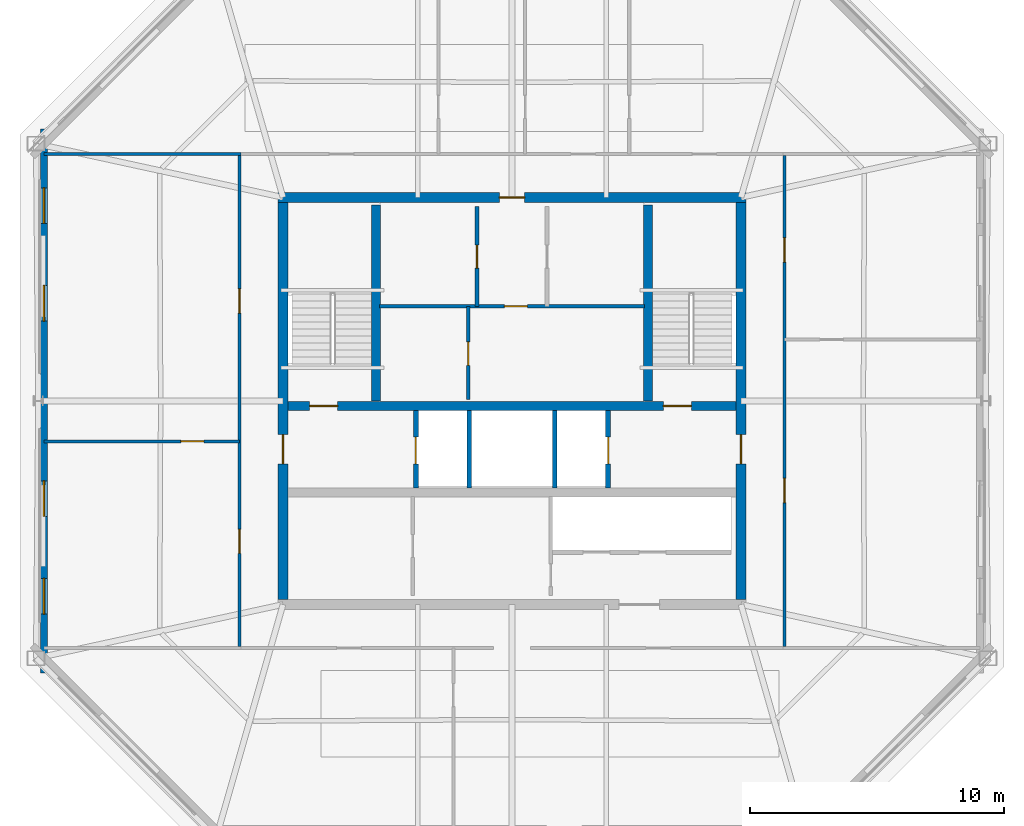
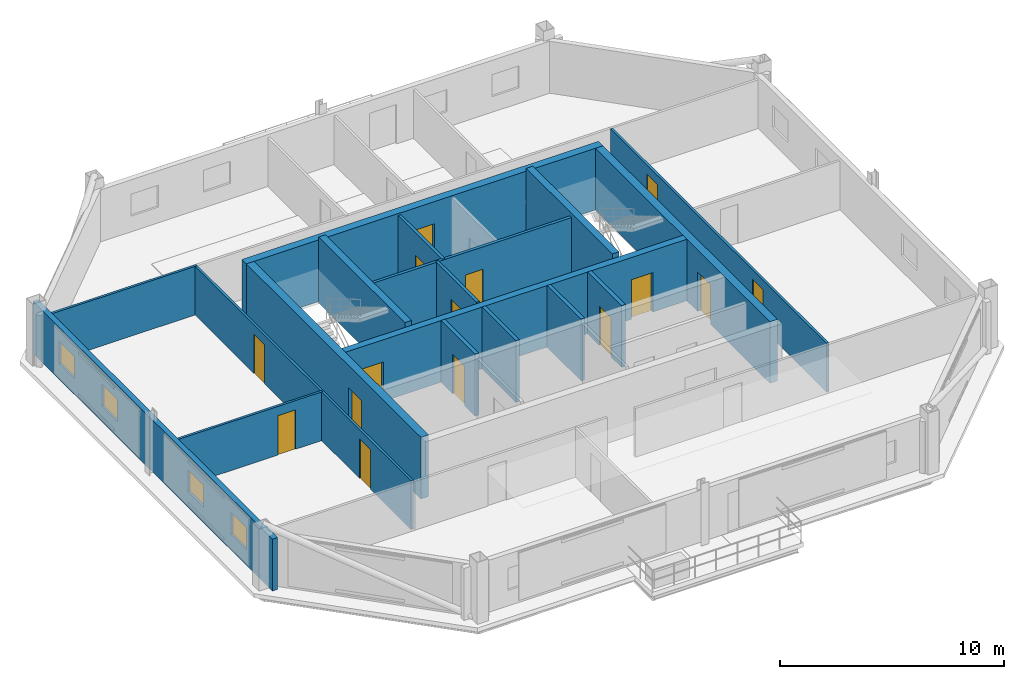
# One storey, part 3 of 7: 18 walls, 15 doors, 4 windows, 19 openings.
"""IFC4 building model written with IfcOpenShell, lengths in metres."""

from ifc_helpers import new_model, si_unit, direction, frame, frame_2d, origin, place, context, subcontext, project, spatial, rectangle, extrude, material, layer, layer_set, type_object, element, fill, save


model = new_model("IFC4")

# Units and contexts
model_context = context("Model", 3, precision=1e-05, world=origin(), true_north=direction((0.0, 1.0)))
body_context = subcontext(model_context, "Body", "Model", "MODEL_VIEW")
ifc_project = project(units=[si_unit("LENGTHUNIT", "METRE"), si_unit("AREAUNIT", "SQUARE_METRE"), si_unit("VOLUMEUNIT", "CUBIC_METRE"), si_unit("PLANEANGLEUNIT", "RADIAN"), si_unit("MASSUNIT", "GRAM", prefix="KILO")], contexts=[model_context])

# Site, building, storey
site_placement = place(None, origin())
site = spatial("IfcSite", under=ifc_project, at=site_placement, CompositionType="ELEMENT")
building_placement = place(site_placement, origin())
building = spatial("IfcBuilding", under=site, at=building_placement, Name="Caelvoria Tower", CompositionType="ELEMENT")
storey_placement = place(building_placement, frame((0.0, 0.0, 253.800048828125)))
storey = spatial("IfcBuildingStorey", under=building, at=storey_placement, Name="L67", CompositionType="ELEMENT", Elevation=253.800048828125)

# Wall, openings, doors
ifc_material_1 = material(Name="Concrete C50/60", Category="concrete")
ifc_layer_1 = layer(ifc_material_1, 0.35009765625, Name="Concrete C50/60")
ifc_layer_set_1 = layer_set([ifc_layer_1], Name="Core Internal Shear Wall 350 - Concrete C50/60")
wall_type_1 = type_object("IfcWallType", Name="Core Internal Shear Wall 350", PredefinedType="SHEAR", material=ifc_layer_set_1)
wall_1_placement = place(storey_placement, frame((37.199951171875, 31.800048828125, 0.0), z_axis=(0.0, 0.0, 1.0), x_axis=(1.0, 0.0, 0.0)))
wall_1 = element("IfcWall", 1, at=wall_1_placement, inside=storey, type_object=wall_type_1, Name="Core Shear Wall L67 M1", PredefinedType="SHEAR", context=body_context, shape_type="SweptSolid", body=[
    extrude(rectangle(XDim=17.60009765625, YDim=0.35009765625, at=frame_2d((8.800048828125, 0.0))), origin(), (0.0, 0.0, 1.0), 3.35986328125),
])
opening_1_placement = place(wall_1_placement, frame((0.85009765625, 0.0, 0.0)))
opening_1 = element("IfcOpeningElement", 2, at=opening_1_placement, cuts=wall_1, Name="Opening ID-01", PredefinedType="OPENING", context=body_context, shape_type="SweptSolid", body=[
    extrude(rectangle(XDim=1.10009765625, YDim=2.14990234375, at=frame_2d((0.550048828125, 1.074951171875))), frame((0.0, 0.18505859375, 0.0), z_axis=(0.0, -1.0, 0.0), x_axis=(1.0, 0.0, 0.0)), (0.0, 0.0, 1.0), 0.3701171875),
])
opening_2_placement = place(wall_1_placement, frame((14.75, 0.0, 0.0)))
opening_2 = element("IfcOpeningElement", 3, at=opening_2_placement, cuts=wall_1, Name="Opening ID-01", PredefinedType="OPENING", context=body_context, shape_type="SweptSolid", body=[
    extrude(rectangle(XDim=1.10009765625, YDim=2.14990234375, at=frame_2d((0.550048828125, 1.074951171875))), frame((0.0, 0.18505859375, 0.0), z_axis=(0.0, -1.0, 0.0), x_axis=(1.0, 0.0, 0.0)), (0.0, 0.0, 1.0), 0.3701171875),
])
ifc_material_2 = material(Name="Painted Hollow Steel Fire Door", Category="steel")
door_type_1 = type_object("IfcDoorType", Name="Fire Door FD90S 1100x2150", OperationType="NOTDEFINED", PredefinedType="DOOR", material=ifc_material_2)
door_1_placement = place(opening_1_placement, origin())
door_1 = element("IfcDoor", 4, at=door_1_placement, inside=storey, type_object=door_type_1, Name="Core Door DR-L67-ST1", OperationType="SINGLE_SWING_LEFT", OverallHeight=2.14990234375, OverallWidth=1.10009765625, PredefinedType="DOOR", context=body_context, shape_type="SweptSolid", body=[
    extrude(rectangle(XDim=1.10009765625, YDim=2.14990234375, at=frame_2d((0.550048828125, 1.074951171875))), frame((0.0, 0.02490234375, 0.0), z_axis=(0.0, -1.0, 0.0), x_axis=(1.0, 0.0, 0.0)), (0.0, 0.0, 1.0), 0.050048828125),
])
fill(opening_1, door_1)
door_2_placement = place(opening_2_placement, origin())
door_2 = element("IfcDoor", 5, at=door_2_placement, inside=storey, type_object=door_type_1, Name="Core Door DR-L67-ST2", OperationType="SINGLE_SWING_RIGHT", OverallHeight=2.14990234375, OverallWidth=1.10009765625, PredefinedType="DOOR", context=body_context, shape_type="SweptSolid", body=[
    extrude(rectangle(XDim=1.10009765625, YDim=2.14990234375, at=frame_2d((0.550048828125, 1.074951171875))), frame((0.0, 0.02490234375, 0.0), z_axis=(0.0, -1.0, 0.0), x_axis=(1.0, 0.0, 0.0)), (0.0, 0.0, 1.0), 0.050048828125),
])
fill(opening_2, door_2)

# Walls
for number, where, z_axis, x_axis, name in (
    (6, (40.64990234375, 32.0, 0.0), (0.0, 0.0, 1.0), (0.0, 1.0, 0.0), "Interior Partition IW-L67-ST1E"),
    (7, (51.35009765625, 32.0, 0.0), (0.0, 0.0, 1.0), (0.0, 1.0, 0.0), "Interior Partition IW-L67-ST2W"),
):
    element("IfcWall", number, at=place(storey_placement, frame(where, z_axis=z_axis, x_axis=x_axis)), inside=storey, type_object=wall_type_1, Name=name, PredefinedType="SHEAR", context=body_context, shape_type="SweptSolid", body=[
        extrude(rectangle(XDim=7.699951171875, YDim=0.35009765625, at=frame_2d((3.85009765625, 0.0))), origin(), (0.0, 0.0, 1.0), 3.599853515625),
    ])

# Wall, opening, door
ifc_material_3 = material(Name="Double Gypsum Board on Steel Stud", Category="steel")
ifc_layer_2 = layer(ifc_material_3, 0.14990234375, Name="Double Gypsum Board on Steel Stud")
ifc_layer_set_2 = layer_set([ifc_layer_2], Name="Core Service Acoustic Partition Wall 150 - Double Gypsum Board on Steel Stud")
wall_type_2 = type_object("IfcWallType", Name="Core Service Acoustic Partition Wall 150", PredefinedType="PARTITIONING", material=ifc_layer_set_2)
wall_2_placement = place(storey_placement, frame((44.6201171875, 35.719970703125, 0.0), z_axis=(0.0, 0.0, 1.0), x_axis=(0.0, 1.0, 0.0)))
wall_2 = element("IfcWall", 8, at=wall_2_placement, inside=storey, type_object=wall_type_2, Name="Interior Partition IW-L67-C0L", PredefinedType="PARTITIONING", context=body_context, shape_type="SweptSolid", body=[
    extrude(rectangle(XDim=3.929931640625, YDim=0.14990234375, at=frame_2d((1.96484375, 0.0))), origin(), (0.0, 0.0, 1.0), 3.375),
])
opening_3_placement = place(wall_2_placement, frame((1.5, 0.0, 0.0)))
opening_3 = element("IfcOpeningElement", 9, at=opening_3_placement, cuts=wall_2, Name="Opening ID-06", PredefinedType="OPENING", context=body_context, shape_type="SweptSolid", body=[
    extrude(rectangle(XDim=0.89990234375, YDim=2.14990234375, at=frame_2d((0.449951171875, 1.074951171875))), frame((0.0, 0.0849609375, 0.0), z_axis=(0.0, -1.0, 0.0), x_axis=(1.0, 0.0, 0.0)), (0.0, 0.0, 1.0), 0.169921875),
])
ifc_material_4 = material(Name="Engineered Andean Oak Veneer Door", Category="wood")
door_type_2 = type_object("IfcDoorType", Name="Interior Timber Door 900x2150", OperationType="NOTDEFINED", PredefinedType="DOOR", material=ifc_material_4)
door_3_placement = place(opening_3_placement, origin())
door_3 = element("IfcDoor", 10, at=door_3_placement, inside=storey, type_object=door_type_2, Name="Interior Door DR-L67-C01", OperationType="SINGLE_SWING_LEFT", OverallHeight=2.14990234375, OverallWidth=0.89990234375, PredefinedType="DOOR", context=body_context, shape_type="SweptSolid", body=[
    extrude(rectangle(XDim=0.89990234375, YDim=2.14990234375, at=frame_2d((0.449951171875, 1.074951171875))), frame((0.0, 0.02490234375, 0.0), z_axis=(0.0, -1.0, 0.0), x_axis=(1.0, 0.0, 0.0)), (0.0, 0.0, 1.0), 0.050048828125),
])
fill(opening_3, door_3)

wall_3_placement = place(storey_placement, frame((44.280029296875, 32.050048828125, 0.0), z_axis=(0.0, 0.0, 1.0), x_axis=(0.0, 1.0, 0.0)))
wall_3 = element("IfcWall", 11, at=wall_3_placement, inside=storey, type_object=wall_type_2, Name="Interior Partition IW-L67-C0M", PredefinedType="PARTITIONING", context=body_context, shape_type="SweptSolid", body=[
    extrude(rectangle(XDim=3.669921875, YDim=0.14990234375, at=frame_2d((1.8349609375, 0.0))), origin(), (0.0, 0.0, 1.0), 3.375),
])
opening_4_placement = place(wall_3_placement, frame((1.35009765625, 0.0, 0.0)))
opening_4 = element("IfcOpeningElement", 12, at=opening_4_placement, cuts=wall_3, Name="Opening ID-07", PredefinedType="OPENING", context=body_context, shape_type="SweptSolid", body=[
    extrude(rectangle(XDim=0.919921875, YDim=2.14990234375, at=frame_2d((0.4599609375, 1.074951171875))), frame((0.0, 0.0849609375, 0.0), z_axis=(0.0, -1.0, 0.0), x_axis=(1.0, 0.0, 0.0)), (0.0, 0.0, 1.0), 0.169921875),
])
ifc_material_5 = material(Name="Engineered Andean Oak Accessible Door", Category="wood")
door_type_3 = type_object("IfcDoorType", Name="Accessible WC Door 950x2150", OperationType="NOTDEFINED", PredefinedType="DOOR", material=ifc_material_5)
door_4_placement = place(opening_4_placement, origin())
door_4 = element("IfcDoor", 13, at=door_4_placement, inside=storey, type_object=door_type_3, Name="Interior Door DR-L67-C05", OperationType="SINGLE_SWING_LEFT", OverallHeight=2.14990234375, OverallWidth=0.919921875, PredefinedType="DOOR", context=body_context, shape_type="SweptSolid", body=[
    extrude(rectangle(XDim=0.919921875, YDim=2.14990234375, at=frame_2d((0.4599609375, 1.074951171875))), frame((0.0, 0.02490234375, 0.0), z_axis=(0.0, -1.0, 0.0), x_axis=(1.0, 0.0, 0.0)), (0.0, 0.0, 1.0), 0.050048828125),
])
fill(opening_4, door_4)

wall_4_placement = place(storey_placement, frame((40.800048828125, 35.719970703125, 0.0), z_axis=(0.0, 0.0, 1.0), x_axis=(1.0, 0.0, 0.0)))
wall_4 = element("IfcWall", 14, at=wall_4_placement, inside=storey, type_object=wall_type_2, Name="Interior Partition IW-L67-C0H", PredefinedType="PARTITIONING", context=body_context, shape_type="SweptSolid", body=[
    extrude(rectangle(XDim=10.39990234375, YDim=0.14990234375, at=frame_2d((5.199951171875, 0.0))), origin(), (0.0, 0.0, 1.0), 3.375),
])
opening_5_placement = place(wall_4_placement, frame((4.89990234375, 0.0, 0.0)))
opening_5 = element("IfcOpeningElement", 15, at=opening_5_placement, cuts=wall_4, Name="Opening ID-04", PredefinedType="OPENING", context=body_context, shape_type="SweptSolid", body=[
    extrude(rectangle(XDim=0.89990234375, YDim=2.14990234375, at=frame_2d((0.449951171875, 1.074951171875))), frame((0.0, 0.0849609375, 0.0), z_axis=(0.0, -1.0, 0.0), x_axis=(1.0, 0.0, 0.0)), (0.0, 0.0, 1.0), 0.169921875),
])
ifc_material_6 = material(Name="Acoustic Timber Fire Door", Category="wood")
door_type_4 = type_object("IfcDoorType", Name="Fire Door FD30S 900x2150", OperationType="NOTDEFINED", PredefinedType="DOOR", material=ifc_material_6)
door_5_placement = place(opening_5_placement, origin())
door_5 = element("IfcDoor", 16, at=door_5_placement, inside=storey, type_object=door_type_4, Name="Interior Door DR-L67-C04", OperationType="SINGLE_SWING_RIGHT", OverallHeight=2.14990234375, OverallWidth=0.89990234375, PredefinedType="DOOR", context=body_context, shape_type="SweptSolid", body=[
    extrude(rectangle(XDim=0.89990234375, YDim=2.14990234375, at=frame_2d((0.449951171875, 1.074951171875))), frame((0.0, 0.02490234375, 0.0), z_axis=(0.0, -1.0, 0.0), x_axis=(1.0, 0.0, 0.0)), (0.0, 0.0, 1.0), 0.050048828125),
])
fill(opening_5, door_5)

# Walls
ifc_material_7 = material(Name="Concrete Block and Fireboard Assembly", Category="concrete")
ifc_layer_3 = layer(ifc_material_7, 0.179931640625, Name="Concrete Block and Fireboard Assembly")
ifc_layer_set_3 = layer_set([ifc_layer_3], Name="Fire-Rated Hoistway Partition Wall 180 - Concrete Block and Fireboard Assembly")
wall_type_3 = type_object("IfcWallType", Name="Fire-Rated Hoistway Partition Wall 180", PredefinedType="PARTITIONING", material=ifc_layer_set_3)
for number, where, z_axis, x_axis, name in (
    (17, (44.320068359375, 28.580078125, 0.0), (0.0, 0.0, 1.0), (0.0, 1.0, 0.0), "Interior Partition IW-L67-SV1W"),
    (18, (47.679931640625, 28.580078125, 0.0), (0.0, 0.0, 1.0), (0.0, 1.0, 0.0), "Interior Partition IW-L67-SV1E"),
):
    element("IfcWall", number, at=place(storey_placement, frame(where, z_axis=z_axis, x_axis=x_axis)), inside=storey, type_object=wall_type_3, Name=name, PredefinedType="PARTITIONING", context=body_context, shape_type="SweptSolid", body=[
        extrude(rectangle(XDim=3.0400390625, YDim=0.179931640625, at=frame_2d((1.52001953125, 0.0))), origin(), (0.0, 0.0, 1.0), 3.375),
    ])

# Wall, opening, door
ifc_layer_4 = layer(ifc_material_7, 0.199951171875, Name="Concrete Block and Fireboard Assembly")
ifc_layer_set_4 = layer_set([ifc_layer_4], Name="Fire-Rated Shaft and Core Partition Wall 200 - Concrete Block and Fireboard Assembly")
wall_type_4 = type_object("IfcWallType", Name="Fire-Rated Shaft and Core Partition Wall 200", PredefinedType="PARTITIONING", material=ifc_layer_set_4)
wall_5_placement = place(storey_placement, frame((42.219970703125, 28.580078125, 0.0), z_axis=(0.0, 0.0, 1.0), x_axis=(0.0, 1.0, 0.0)))
wall_5 = element("IfcWall", 19, at=wall_5_placement, inside=storey, type_object=wall_type_4, Name="Interior Partition IW-L67-LF1W", PredefinedType="PARTITIONING", context=body_context, shape_type="SweptSolid", body=[
    extrude(rectangle(XDim=3.0400390625, YDim=0.199951171875, at=frame_2d((1.52001953125, 0.0))), origin(), (0.0, 0.0, 1.0), 3.375),
])
opening_6_placement = place(wall_5_placement, frame((0.949951171875, 0.0, 0.0)))
opening_6 = element("IfcOpeningElement", 20, at=opening_6_placement, cuts=wall_5, Name="Opening LD-01", PredefinedType="OPENING", context=body_context, shape_type="SweptSolid", body=[
    extrude(rectangle(XDim=1.050048828125, YDim=2.14990234375, at=frame_2d((0.52490234375, 1.074951171875))), frame((0.0, 0.10986328125, 0.0), z_axis=(0.0, -1.0, 0.0), x_axis=(1.0, 0.0, 0.0)), (0.0, 0.0, 1.0), 0.219970703125),
])
ifc_material_8 = material(Name="Brushed Bronze Stainless Sliding Landing Door", Category="aluminium")
door_type_5 = type_object("IfcDoorType", Name="Lift Landing Sliding Door 1100x2150", OperationType="NOTDEFINED", PredefinedType="DOOR", material=ifc_material_8)
door_6_placement = place(opening_6_placement, origin())
door_6 = element("IfcDoor", 21, at=door_6_placement, inside=storey, type_object=door_type_5, Name="Interior Door LD-L67-LF1", OperationType="SLIDING_TO_LEFT", OverallHeight=2.14990234375, OverallWidth=1.050048828125, PredefinedType="DOOR", context=body_context, shape_type="SweptSolid", body=[
    extrude(rectangle(XDim=1.050048828125, YDim=2.14990234375, at=frame_2d((0.52490234375, 1.074951171875))), frame((0.0, 0.02490234375, 0.0), z_axis=(0.0, -1.0, 0.0), x_axis=(1.0, 0.0, 0.0)), (0.0, 0.0, 1.0), 0.050048828125),
])
fill(opening_6, door_6)

wall_6_placement = place(storey_placement, frame((49.780029296875, 28.580078125, 0.0), z_axis=(0.0, 0.0, 1.0), x_axis=(0.0, 1.0, 0.0)))
wall_6 = element("IfcWall", 22, at=wall_6_placement, inside=storey, type_object=wall_type_4, Name="Interior Partition IW-L67-LF2E", PredefinedType="PARTITIONING", context=body_context, shape_type="SweptSolid", body=[
    extrude(rectangle(XDim=3.0400390625, YDim=0.199951171875, at=frame_2d((1.52001953125, 0.0))), origin(), (0.0, 0.0, 1.0), 3.375),
])
opening_7_placement = place(wall_6_placement, frame((0.949951171875, 0.0, 0.0)))
opening_7 = element("IfcOpeningElement", 23, at=opening_7_placement, cuts=wall_6, Name="Opening LD-01", PredefinedType="OPENING", context=body_context, shape_type="SweptSolid", body=[
    extrude(rectangle(XDim=1.050048828125, YDim=2.14990234375, at=frame_2d((0.52490234375, 1.074951171875))), frame((0.0, 0.10986328125, 0.0), z_axis=(0.0, -1.0, 0.0), x_axis=(1.0, 0.0, 0.0)), (0.0, 0.0, 1.0), 0.219970703125),
])
door_7_placement = place(opening_7_placement, origin())
door_7 = element("IfcDoor", 24, at=door_7_placement, inside=storey, type_object=door_type_5, Name="Interior Door LD-L67-LF2", OperationType="SLIDING_TO_RIGHT", OverallHeight=2.14990234375, OverallWidth=1.050048828125, PredefinedType="DOOR", context=body_context, shape_type="SweptSolid", body=[
    extrude(rectangle(XDim=1.050048828125, YDim=2.14990234375, at=frame_2d((0.52490234375, 1.074951171875))), frame((0.0, 0.02490234375, 0.0), z_axis=(0.0, -1.0, 0.0), x_axis=(1.0, 0.0, 0.0)), (0.0, 0.0, 1.0), 0.050048828125),
])
fill(opening_7, door_7)

ifc_layer_5 = layer(ifc_material_1, 0.39990234375, Name="Concrete C50/60")
ifc_layer_set_5 = layer_set([ifc_layer_5], Name="Summit Core Shear Wall 400 - Concrete C50/60")
wall_type_5 = type_object("IfcWallType", Name="Summit Core Shear Wall 400", PredefinedType="SHEAR", material=ifc_layer_set_5)
wall_7_placement = place(storey_placement, frame((36.800048828125, 40.0, 0.0), z_axis=(0.0, 0.0, 1.0), x_axis=(1.0, 0.0, 0.0)))
wall_7 = element("IfcWall", 25, at=wall_7_placement, inside=storey, type_object=wall_type_5, Name="Core Shear Wall L67 N", PredefinedType="SHEAR", context=body_context, shape_type="SweptSolid", body=[
    extrude(rectangle(XDim=18.39990234375, YDim=0.39990234375, at=frame_2d((9.199951171875, 0.0))), origin(), (0.0, 0.0, 1.0), 3.35986328125),
])
opening_8_placement = place(wall_7_placement, frame((8.699951171875, 0.0, 0.0)))
opening_8 = element("IfcOpeningElement", 26, at=opening_8_placement, cuts=wall_7, Name="Opening ID-03", PredefinedType="OPENING", context=body_context, shape_type="SweptSolid", body=[
    extrude(rectangle(XDim=1.0, YDim=2.14990234375, at=frame_2d((0.5, 1.074951171875))), frame((0.0, 0.2099609375, 0.0), z_axis=(0.0, -1.0, 0.0), x_axis=(1.0, 0.0, 0.0)), (0.0, 0.0, 1.0), 0.419921875),
])
door_type_6 = type_object("IfcDoorType", Name="Fire Door FD60S 1000x2150", OperationType="NOTDEFINED", PredefinedType="DOOR", material=ifc_material_2)
door_8_placement = place(opening_8_placement, origin())
door_8 = element("IfcDoor", 27, at=door_8_placement, inside=storey, type_object=door_type_6, Name="Core Door DR-L67-WC-MAIN", OperationType="SINGLE_SWING_RIGHT", OverallHeight=2.14990234375, OverallWidth=1.0, PredefinedType="DOOR", context=body_context, shape_type="SweptSolid", body=[
    extrude(rectangle(XDim=1.0, YDim=2.14990234375, at=frame_2d((0.5, 1.074951171875))), frame((0.0, 0.02490234375, 0.0), z_axis=(0.0, -1.0, 0.0), x_axis=(1.0, 0.0, 0.0)), (0.0, 0.0, 1.0), 0.050048828125),
])
fill(opening_8, door_8)

wall_8_placement = place(storey_placement, frame((37.0, 24.199951171875, 0.0), z_axis=(0.0, 0.0, 1.0), x_axis=(0.0, 1.0, 0.0)))
wall_8 = element("IfcWall", 28, at=wall_8_placement, inside=storey, type_object=wall_type_5, Name="Core Shear Wall L67 W", PredefinedType="SHEAR", context=body_context, shape_type="SweptSolid", body=[
    extrude(rectangle(XDim=15.60009765625, YDim=0.39990234375, at=frame_2d((7.800048828125, 0.0))), origin(), (0.0, 0.0, 1.0), 3.35986328125),
])
opening_9_placement = place(wall_8_placement, frame((5.324951171875, 0.0, 0.0)))
opening_9 = element("IfcOpeningElement", 29, at=opening_9_placement, cuts=wall_8, Name="Opening ID-02", PredefinedType="OPENING", context=body_context, shape_type="SweptSolid", body=[
    extrude(rectangle(XDim=1.14990234375, YDim=2.14990234375, at=frame_2d((0.574951171875, 1.074951171875))), frame((0.0, 0.2099609375, 0.0), z_axis=(0.0, -1.0, 0.0), x_axis=(1.0, 0.0, 0.0)), (0.0, 0.0, 1.0), 0.419921875),
])
door_type_7 = type_object("IfcDoorType", Name="Fire Door FD60S 1150x2150", OperationType="NOTDEFINED", PredefinedType="DOOR", material=ifc_material_2)
door_9_placement = place(opening_9_placement, origin())
door_9 = element("IfcDoor", 30, at=door_9_placement, inside=storey, type_object=door_type_7, Name="Core Door DR-L67-FFLW-OUT", OperationType="SINGLE_SWING_LEFT", OverallHeight=2.14990234375, OverallWidth=1.14990234375, PredefinedType="DOOR", context=body_context, shape_type="SweptSolid", body=[
    extrude(rectangle(XDim=1.14990234375, YDim=2.14990234375, at=frame_2d((0.574951171875, 1.074951171875))), frame((0.0, 0.02490234375, 0.0), z_axis=(0.0, -1.0, 0.0), x_axis=(1.0, 0.0, 0.0)), (0.0, 0.0, 1.0), 0.050048828125),
])
fill(opening_9, door_9)

wall_9_placement = place(storey_placement, frame((55.0, 24.199951171875, 0.0), z_axis=(0.0, 0.0, 1.0), x_axis=(0.0, 1.0, 0.0)))
wall_9 = element("IfcWall", 31, at=wall_9_placement, inside=storey, type_object=wall_type_5, Name="Core Shear Wall L67 E", PredefinedType="SHEAR", context=body_context, shape_type="SweptSolid", body=[
    extrude(rectangle(XDim=15.60009765625, YDim=0.39990234375, at=frame_2d((7.800048828125, 0.0))), origin(), (0.0, 0.0, 1.0), 3.35986328125),
])
opening_10_placement = place(wall_9_placement, frame((5.324951171875, 0.0, 0.0)))
opening_10 = element("IfcOpeningElement", 32, at=opening_10_placement, cuts=wall_9, Name="Opening ID-02", PredefinedType="OPENING", context=body_context, shape_type="SweptSolid", body=[
    extrude(rectangle(XDim=1.14990234375, YDim=2.14990234375, at=frame_2d((0.574951171875, 1.074951171875))), frame((0.0, 0.2099609375, 0.0), z_axis=(0.0, -1.0, 0.0), x_axis=(1.0, 0.0, 0.0)), (0.0, 0.0, 1.0), 0.419921875),
])
door_10_placement = place(opening_10_placement, origin())
door_10 = element("IfcDoor", 33, at=door_10_placement, inside=storey, type_object=door_type_7, Name="Core Door DR-L67-FFLE-OUT", OperationType="SINGLE_SWING_RIGHT", OverallHeight=2.14990234375, OverallWidth=1.14990234375, PredefinedType="DOOR", context=body_context, shape_type="SweptSolid", body=[
    extrude(rectangle(XDim=1.14990234375, YDim=2.14990234375, at=frame_2d((0.574951171875, 1.074951171875))), frame((0.0, 0.02490234375, 0.0), z_axis=(0.0, -1.0, 0.0), x_axis=(1.0, 0.0, 0.0)), (0.0, 0.0, 1.0), 0.050048828125),
])
fill(opening_10, door_10)

ifc_material_9 = material(Name="Acoustic Gypsum Board on Light-Gauge Stud", Category="gypsum")
ifc_layer_6 = layer(ifc_material_9, 0.1201171875, Name="Acoustic Gypsum Board on Light-Gauge Stud")
ifc_layer_set_6 = layer_set([ifc_layer_6], Name="Tenant Suite Acoustic Partition Wall 120 - Acoustic Gypsum Board on Light-Gauge Stud")
wall_type_6 = type_object("IfcWallType", Name="Tenant Suite Acoustic Partition Wall 120", PredefinedType="PARTITIONING", material=ifc_layer_set_6)
wall_10_placement = place(storey_placement, frame((35.2900390625, 30.4130859375, 0.0), z_axis=(0.0, 0.0, 1.0), x_axis=(-1.0, 0.0, 0.0)))
wall_10 = element("IfcWall", 34, at=wall_10_placement, inside=storey, type_object=wall_type_6, Name="Interior Partition IW-L67-WD-00-0", PredefinedType="PARTITIONING", context=body_context, shape_type="SweptSolid", body=[
    extrude(rectangle(XDim=7.6865234375, YDim=0.1201171875, at=frame_2d((3.84326171875, 0.0))), origin(), (0.0, 0.0, 1.0), 2.655029296875),
])
opening_11_placement = place(wall_10_placement, frame((1.39990234375, 0.0, 0.0)))
opening_11 = element("IfcOpeningElement", 35, at=opening_11_placement, cuts=wall_10, Name="Opening ID-06", PredefinedType="OPENING", context=body_context, shape_type="SweptSolid", body=[
    extrude(rectangle(XDim=0.89990234375, YDim=2.14990234375, at=frame_2d((0.449951171875, 1.074951171875))), frame((0.0, 0.070068359375, 0.0), z_axis=(0.0, -1.0, 0.0), x_axis=(1.0, 0.0, 0.0)), (0.0, 0.0, 1.0), 0.14013671875),
])
door_11_placement = place(opening_11_placement, origin())
door_11 = element("IfcDoor", 36, at=door_11_placement, inside=storey, type_object=door_type_2, Name="Interior Door DR-L67-WM-00-0", OperationType="SINGLE_SWING_RIGHT", OverallHeight=2.14990234375, OverallWidth=0.89990234375, PredefinedType="DOOR", context=body_context, shape_type="SweptSolid", body=[
    extrude(rectangle(XDim=0.89990234375, YDim=2.14990234375, at=frame_2d((0.449951171875, 1.074951171875))), frame((0.0, 0.02490234375, 0.0), z_axis=(0.0, -1.0, 0.0), x_axis=(1.0, 0.0, 0.0)), (0.0, 0.0, 1.0), 0.050048828125),
])
fill(opening_11, door_11)

# Wall, openings, doors
wall_11_placement = place(storey_placement, frame((35.2900390625, 22.35009765625, 0.0), z_axis=(0.0, 0.0, 1.0), x_axis=(0.0, 1.0, 0.0)))
wall_11 = element("IfcWall", 37, at=wall_11_placement, inside=storey, type_object=wall_type_6, Name="Interior Partition IW-L67-WCW-0", PredefinedType="PARTITIONING", context=body_context, shape_type="SweptSolid", body=[
    extrude(rectangle(XDim=19.2998046875, YDim=0.1201171875, at=frame_2d((9.64990234375, 0.0))), origin(), (0.0, 0.0, 1.0), 2.655029296875),
])
opening_12_placement = place(wall_11_placement, frame((3.656494140625, 0.0, 0.0)))
opening_12 = element("IfcOpeningElement", 38, at=opening_12_placement, cuts=wall_11, Name="Opening ID-05", PredefinedType="OPENING", context=body_context, shape_type="SweptSolid", body=[
    extrude(rectangle(XDim=0.949951171875, YDim=2.14990234375, at=frame_2d((0.47509765625, 1.074951171875))), frame((0.0, 0.070068359375, 0.0), z_axis=(0.0, -1.0, 0.0), x_axis=(1.0, 0.0, 0.0)), (0.0, 0.0, 1.0), 0.14013671875),
])
opening_13_placement = place(wall_11_placement, frame((13.1064453125, 0.0, 0.0)))
opening_13 = element("IfcOpeningElement", 39, at=opening_13_placement, cuts=wall_11, Name="Opening ID-05", PredefinedType="OPENING", context=body_context, shape_type="SweptSolid", body=[
    extrude(rectangle(XDim=0.949951171875, YDim=2.14990234375, at=frame_2d((0.47509765625, 1.074951171875))), frame((0.0, 0.070068359375, 0.0), z_axis=(0.0, -1.0, 0.0), x_axis=(1.0, 0.0, 0.0)), (0.0, 0.0, 1.0), 0.14013671875),
])
door_type_8 = type_object("IfcDoorType", Name="Interior Timber Door 950x2150", OperationType="NOTDEFINED", PredefinedType="DOOR", material=ifc_material_4)
door_12_placement = place(opening_12_placement, origin())
door_12 = element("IfcDoor", 40, at=door_12_placement, inside=storey, type_object=door_type_8, Name="Interior Door DR-L67-WC-00-0", OperationType="SINGLE_SWING_RIGHT", OverallHeight=2.14990234375, OverallWidth=0.949951171875, PredefinedType="DOOR", context=body_context, shape_type="SweptSolid", body=[
    extrude(rectangle(XDim=0.949951171875, YDim=2.14990234375, at=frame_2d((0.47509765625, 1.074951171875))), frame((0.0, 0.02490234375, 0.0), z_axis=(0.0, -1.0, 0.0), x_axis=(1.0, 0.0, 0.0)), (0.0, 0.0, 1.0), 0.050048828125),
])
fill(opening_12, door_12)
door_13_placement = place(opening_13_placement, origin())
door_13 = element("IfcDoor", 41, at=door_13_placement, inside=storey, type_object=door_type_8, Name="Interior Door DR-L67-WC-01-0", OperationType="SINGLE_SWING_LEFT", OverallHeight=2.14990234375, OverallWidth=0.949951171875, PredefinedType="DOOR", context=body_context, shape_type="SweptSolid", body=[
    extrude(rectangle(XDim=0.949951171875, YDim=2.14990234375, at=frame_2d((0.47509765625, 1.074951171875))), frame((0.0, 0.02490234375, 0.0), z_axis=(0.0, -1.0, 0.0), x_axis=(1.0, 0.0, 0.0)), (0.0, 0.0, 1.0), 0.050048828125),
])
fill(opening_13, door_13)

wall_12_placement = place(storey_placement, frame((56.7099609375, 22.35009765625, 0.0), z_axis=(0.0, 0.0, 1.0), x_axis=(0.0, 1.0, 0.0)))
wall_12 = element("IfcWall", 42, at=wall_12_placement, inside=storey, type_object=wall_type_6, Name="Interior Partition IW-L67-ECW-0", PredefinedType="PARTITIONING", context=body_context, shape_type="SweptSolid", body=[
    extrude(rectangle(XDim=19.2998046875, YDim=0.1201171875, at=frame_2d((9.64990234375, 0.0))), origin(), (0.0, 0.0, 1.0), 2.655029296875),
])
opening_14_placement = place(wall_12_placement, frame((5.65673828125, 0.0, 0.0)))
opening_14 = element("IfcOpeningElement", 43, at=opening_14_placement, cuts=wall_12, Name="Opening ID-05", PredefinedType="OPENING", context=body_context, shape_type="SweptSolid", body=[
    extrude(rectangle(XDim=0.949951171875, YDim=2.14990234375, at=frame_2d((0.47509765625, 1.074951171875))), frame((0.0, 0.070068359375, 0.0), z_axis=(0.0, -1.0, 0.0), x_axis=(1.0, 0.0, 0.0)), (0.0, 0.0, 1.0), 0.14013671875),
])
opening_15_placement = place(wall_12_placement, frame((15.106689453125, 0.0, 0.0)))
opening_15 = element("IfcOpeningElement", 44, at=opening_15_placement, cuts=wall_12, Name="Opening ID-05", PredefinedType="OPENING", context=body_context, shape_type="SweptSolid", body=[
    extrude(rectangle(XDim=0.949951171875, YDim=2.14990234375, at=frame_2d((0.47509765625, 1.074951171875))), frame((0.0, 0.070068359375, 0.0), z_axis=(0.0, -1.0, 0.0), x_axis=(1.0, 0.0, 0.0)), (0.0, 0.0, 1.0), 0.14013671875),
])
door_14_placement = place(opening_14_placement, origin())
door_14 = element("IfcDoor", 45, at=door_14_placement, inside=storey, type_object=door_type_8, Name="Interior Door DR-L67-EC-00-0", OperationType="SINGLE_SWING_RIGHT", OverallHeight=2.14990234375, OverallWidth=0.949951171875, PredefinedType="DOOR", context=body_context, shape_type="SweptSolid", body=[
    extrude(rectangle(XDim=0.949951171875, YDim=2.14990234375, at=frame_2d((0.47509765625, 1.074951171875))), frame((0.0, 0.02490234375, 0.0), z_axis=(0.0, -1.0, 0.0), x_axis=(1.0, 0.0, 0.0)), (0.0, 0.0, 1.0), 0.050048828125),
])
fill(opening_14, door_14)
door_15_placement = place(opening_15_placement, origin())
door_15 = element("IfcDoor", 46, at=door_15_placement, inside=storey, type_object=door_type_8, Name="Interior Door DR-L67-EC-01-0", OperationType="SINGLE_SWING_LEFT", OverallHeight=2.14990234375, OverallWidth=0.949951171875, PredefinedType="DOOR", context=body_context, shape_type="SweptSolid", body=[
    extrude(rectangle(XDim=0.949951171875, YDim=2.14990234375, at=frame_2d((0.47509765625, 1.074951171875))), frame((0.0, 0.02490234375, 0.0), z_axis=(0.0, -1.0, 0.0), x_axis=(1.0, 0.0, 0.0)), (0.0, 0.0, 1.0), 0.050048828125),
])
fill(opening_15, door_15)

# Wall
wall_13_placement = place(storey_placement, frame((35.35009765625, 41.7099609375, 0.0), z_axis=(0.0, 0.0, 1.0), x_axis=(-1.0, 0.0, 0.0)))
element("IfcWall", 47, at=wall_13_placement, inside=storey, type_object=wall_type_6, Name="Interior Partition IW-L67-BNW-0", PredefinedType="PARTITIONING", context=body_context, shape_type="SweptSolid", body=[
    extrude(rectangle(XDim=7.74658203125, YDim=0.1201171875, at=frame_2d((3.873291015625, 0.0))), origin(), (0.0, 0.0, 1.0), 2.655029296875),
])

# Wall, openings, windows
ifc_material_10 = material(Name="Precast Concrete C40/50 with Bronze Cladding", Category="concrete")
ifc_layer_7 = layer(ifc_material_10, 0.264892578125, Name="Precast Concrete C40/50 with Bronze Cladding")
ifc_layer_set_7 = layer_set([ifc_layer_7], Name="Upper Taper Precast Concrete C40/50 Bronze Facade Wall 265 - Precast Concrete C40/50 with Bronze Cladding")
wall_type_7 = type_object("IfcWallType", Name="Upper Taper Precast Concrete C40/50 Bronze Facade Wall 265", PredefinedType="STANDARD", material=ifc_layer_set_7)
wall_14_placement = place(storey_placement, frame((27.603515625, 42.694580078125, 0.0), z_axis=(0.0, 0.0, 1.0), x_axis=(0.0, -1.0, 0.0)))
wall_14 = element("IfcWall", 48, at=wall_14_placement, inside=storey, type_object=wall_type_7, Name="Exterior Facade Wall L67-E6", PredefinedType="STANDARD", context=body_context, shape_type="SweptSolid", body=[
    extrude(rectangle(XDim=21.38916015625, YDim=0.264892578125, at=frame_2d((10.694580078125, 0.0))), origin(), (0.0, 0.0, 1.0), 2.83203125),
])
opening_16_placement = place(wall_14_placement, frame((2.31884765625, 0.0, 0.85009765625)))
opening_16 = element("IfcOpeningElement", 49, at=opening_16_placement, cuts=wall_14, Name="Opening WN-06", PredefinedType="OPENING", context=body_context, shape_type="SweptSolid", body=[
    extrude(rectangle(XDim=1.39990234375, YDim=1.199951171875, at=frame_2d((0.699951171875, 0.60009765625))), frame((0.0, 0.142333984375, 0.0), z_axis=(0.0, -1.0, 0.0), x_axis=(1.0, 0.0, 0.0)), (0.0, 0.0, 1.0), 0.284912109375),
])
opening_17_placement = place(wall_14_placement, frame((6.15673828125, 0.0, 0.85009765625)))
opening_17 = element("IfcOpeningElement", 50, at=opening_17_placement, cuts=wall_14, Name="Opening WN-06", PredefinedType="OPENING", context=body_context, shape_type="SweptSolid", body=[
    extrude(rectangle(XDim=1.39990234375, YDim=1.199951171875, at=frame_2d((0.699951171875, 0.60009765625))), frame((0.0, 0.142333984375, 0.0), z_axis=(0.0, -1.0, 0.0), x_axis=(1.0, 0.0, 0.0)), (0.0, 0.0, 1.0), 0.284912109375),
])
opening_18_placement = place(wall_14_placement, frame((13.832275390625, 0.0, 0.85009765625)))
opening_18 = element("IfcOpeningElement", 51, at=opening_18_placement, cuts=wall_14, Name="Opening WN-06", PredefinedType="OPENING", context=body_context, shape_type="SweptSolid", body=[
    extrude(rectangle(XDim=1.39990234375, YDim=1.199951171875, at=frame_2d((0.699951171875, 0.60009765625))), frame((0.0, 0.142333984375, 0.0), z_axis=(0.0, -1.0, 0.0), x_axis=(1.0, 0.0, 0.0)), (0.0, 0.0, 1.0), 0.284912109375),
])
opening_19_placement = place(wall_14_placement, frame((17.670166015625, 0.0, 0.85009765625)))
opening_19 = element("IfcOpeningElement", 52, at=opening_19_placement, cuts=wall_14, Name="Opening WN-06", PredefinedType="OPENING", context=body_context, shape_type="SweptSolid", body=[
    extrude(rectangle(XDim=1.39990234375, YDim=1.199951171875, at=frame_2d((0.699951171875, 0.60009765625))), frame((0.0, 0.142333984375, 0.0), z_axis=(0.0, -1.0, 0.0), x_axis=(1.0, 0.0, 0.0)), (0.0, 0.0, 1.0), 0.284912109375),
])
ifc_material_11 = material(Name="Low-E Tinted Glass in Bronze Aluminium Frame", Category="aluminium")
window_type = type_object("IfcWindowType", Name="Podium Clerestory Window 1400x1200", PartitioningType="SINGLE_PANEL", PredefinedType="WINDOW", material=ifc_material_11)
window_1_placement = place(opening_16_placement, origin())
window_1 = element("IfcWindow", 53, at=window_1_placement, inside=storey, type_object=window_type, Name="Facade Window L67-E6-00", OverallHeight=1.199951171875, OverallWidth=1.39990234375, PartitioningType="SINGLE_PANEL", PredefinedType="WINDOW", context=body_context, shape_type="SweptSolid", body=[
    extrude(rectangle(XDim=1.39990234375, YDim=1.199951171875, at=frame_2d((0.699951171875, 0.60009765625))), frame((0.0, 0.030029296875, 0.0), z_axis=(0.0, -1.0, 0.0), x_axis=(1.0, 0.0, 0.0)), (0.0, 0.0, 1.0), 0.06005859375),
])
fill(opening_16, window_1)
window_2_placement = place(opening_17_placement, origin())
window_2 = element("IfcWindow", 54, at=window_2_placement, inside=storey, type_object=window_type, Name="Facade Window L67-E6-01", OverallHeight=1.199951171875, OverallWidth=1.39990234375, PartitioningType="SINGLE_PANEL", PredefinedType="WINDOW", context=body_context, shape_type="SweptSolid", body=[
    extrude(rectangle(XDim=1.39990234375, YDim=1.199951171875, at=frame_2d((0.699951171875, 0.60009765625))), frame((0.0, 0.030029296875, 0.0), z_axis=(0.0, -1.0, 0.0), x_axis=(1.0, 0.0, 0.0)), (0.0, 0.0, 1.0), 0.06005859375),
])
fill(opening_17, window_2)
window_3_placement = place(opening_18_placement, origin())
window_3 = element("IfcWindow", 55, at=window_3_placement, inside=storey, type_object=window_type, Name="Facade Window L67-E6-03", OverallHeight=1.199951171875, OverallWidth=1.39990234375, PartitioningType="SINGLE_PANEL", PredefinedType="WINDOW", context=body_context, shape_type="SweptSolid", body=[
    extrude(rectangle(XDim=1.39990234375, YDim=1.199951171875, at=frame_2d((0.699951171875, 0.60009765625))), frame((0.0, 0.030029296875, 0.0), z_axis=(0.0, -1.0, 0.0), x_axis=(1.0, 0.0, 0.0)), (0.0, 0.0, 1.0), 0.06005859375),
])
fill(opening_18, window_3)
window_4_placement = place(opening_19_placement, origin())
window_4 = element("IfcWindow", 56, at=window_4_placement, inside=storey, type_object=window_type, Name="Facade Window L67-E6-04", OverallHeight=1.199951171875, OverallWidth=1.39990234375, PartitioningType="SINGLE_PANEL", PredefinedType="WINDOW", context=body_context, shape_type="SweptSolid", body=[
    extrude(rectangle(XDim=1.39990234375, YDim=1.199951171875, at=frame_2d((0.699951171875, 0.60009765625))), frame((0.0, 0.030029296875, 0.0), z_axis=(0.0, -1.0, 0.0), x_axis=(1.0, 0.0, 0.0)), (0.0, 0.0, 1.0), 0.06005859375),
])
fill(opening_19, window_4)

save(model, "model.ifc")
